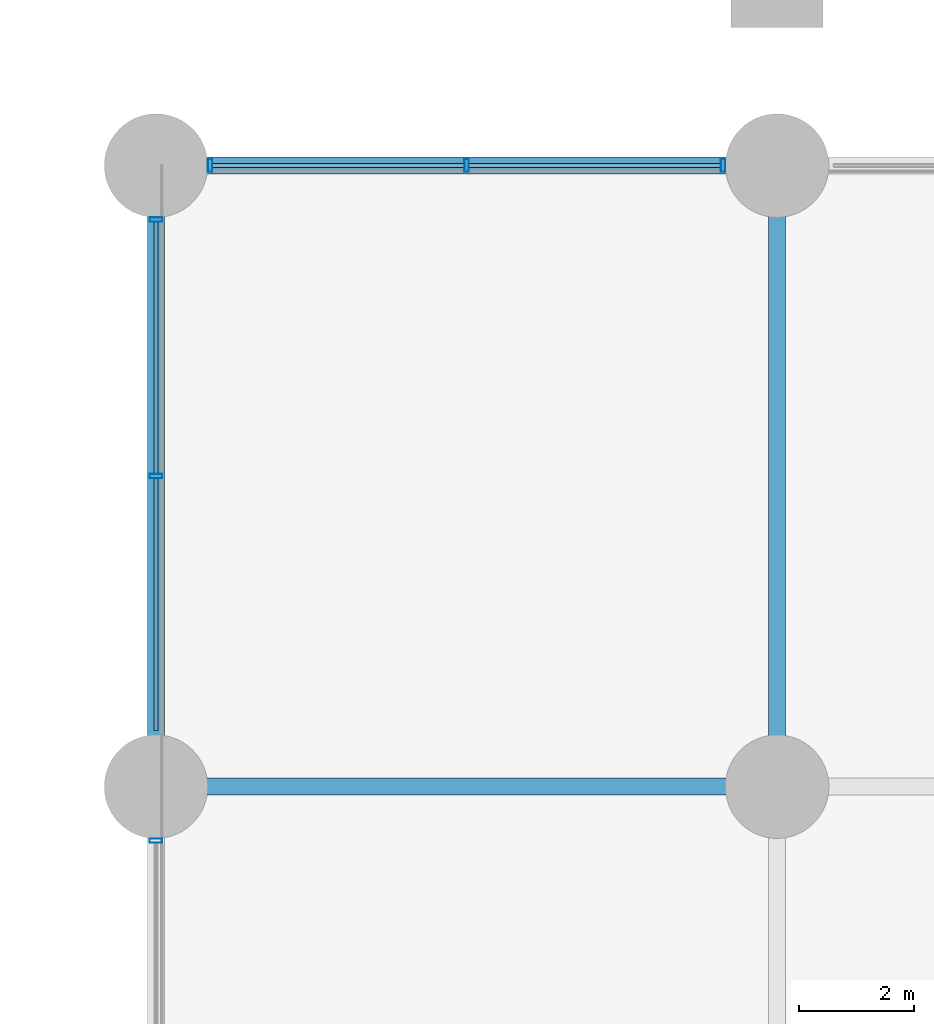
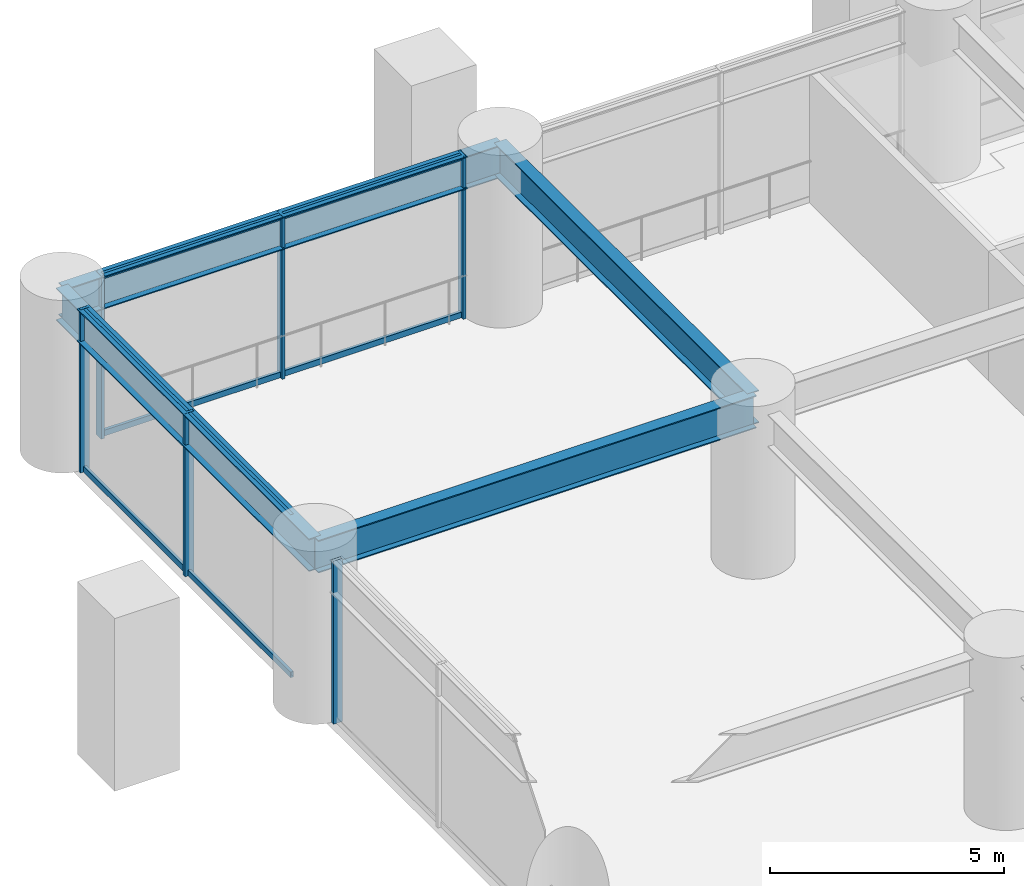
# One storey, part 12 of 31: 14 members, 4 beams, 2 elements without a shape of their own.
"""IFC4 building model written with IfcOpenShell, lengths in metres."""

from ifc_helpers import new_model, si_unit, direction, frame, origin, origin_2d, place, context, subcontext, project, spatial, hollow_rectangle, i_section, extrude, material, layer, layer_set, material_profile, profile_set, type_object, element, aggregate, save


model = new_model("IFC4")

# Units and contexts
model_context = context("Model", 3, precision=1e-05, world=origin(), true_north=direction((0.0, 1.0)))
body_context = subcontext(model_context, "Body", "Model", "MODEL_VIEW")
ifc_project = project(units=[si_unit("LENGTHUNIT", "METRE"), si_unit("AREAUNIT", "SQUARE_METRE"), si_unit("VOLUMEUNIT", "CUBIC_METRE"), si_unit("PLANEANGLEUNIT", "RADIAN"), si_unit("MASSUNIT", "GRAM", prefix="KILO")], contexts=[model_context])

# Site, building, storey
site_placement = place(None, origin())
site = spatial("IfcSite", under=ifc_project, at=site_placement, CompositionType="ELEMENT")
building_placement = place(site_placement, origin())
building = spatial("IfcBuilding", under=site, at=building_placement, Name="Surkhivell Harbour Commons", CompositionType="ELEMENT")
storey_placement = place(building_placement, frame((0.0, 0.0, 4.5)))
storey = spatial("IfcBuildingStorey", under=building, at=storey_placement, Name="L01", CompositionType="ELEMENT", Elevation=4.5)

# Beams
ifc_material_1 = material(Name="Steel S460", Category="steel")
ifc_material_profile_1 = material_profile(ifc_material_1, i_section(OverallWidth=0.2939453125, OverallDepth=0.85107421875, WebThickness=0.01611328125, FlangeThickness=0.02685546875, at=origin_2d()), Name="UB838x292x226")
ifc_profile_set_1 = profile_set([ifc_material_profile_1], Name="Steel S460")
beam_type = type_object("IfcBeamType", Name="BM-SPN-838", PredefinedType="SPANDREL", material=ifc_profile_set_1)
beam_1_placement = place(storey_placement, frame((-32.39990234375, 10.800048828125, 3.824462890625), z_axis=(0.0, 1.0, 0.0), x_axis=(-1.0, 0.0, 0.0)))
element("IfcBeam", 1, at=beam_1_placement, inside=storey, type_object=beam_type, Name="L01 Framing Beam (-32.4,10.8)", PredefinedType="SPANDREL", context=body_context, shape_type="SweptSolid", body=[
    extrude(i_section(OverallWidth=0.2939453125, OverallDepth=0.85107421875, WebThickness=0.01611328125, FlangeThickness=0.02685546875, at=origin_2d()), origin(), (0.0, 0.0, 1.0), 10.800048828125),
])
for number, where, z_axis, x_axis, name in (
    (2, (-32.39990234375, 10.800048828125, 3.824462890625), (1.0, 0.0, 0.0), (0.0, 1.0, 0.0), "L01 Framing Beam (-32.4,10.8)"),
    (3, (-32.39990234375, 21.60009765625, 3.824462890625), (1.0, 0.0, 0.0), (0.0, 1.0, 0.0), "L01 Framing Beam (-32.4,21.6)"),
):
    element("IfcBeam", number, at=place(storey_placement, frame(where, z_axis=z_axis, x_axis=x_axis)), inside=storey, type_object=beam_type, Name=name, PredefinedType="SPANDREL", context=body_context, shape_type="SweptSolid", body=[
        extrude(i_section(OverallWidth=0.2939453125, OverallDepth=0.85107421875, WebThickness=0.01611328125, FlangeThickness=0.02685546875, at=origin_2d()), origin(), (0.0, 0.0, 1.0), 10.7998046875),
    ])
beam_2_placement = place(storey_placement, frame((-21.60009765625, 10.800048828125, 3.824462890625), z_axis=(0.0, 1.0, 0.0), x_axis=(-1.0, 0.0, 0.0)))
element("IfcBeam", 4, at=beam_2_placement, inside=storey, type_object=beam_type, Name="L01 Framing Beam (-21.6,10.8)", PredefinedType="SPANDREL", context=body_context, shape_type="SweptSolid", body=[
    extrude(i_section(OverallWidth=0.2939453125, OverallDepth=0.85107421875, WebThickness=0.01611328125, FlangeThickness=0.02685546875, at=origin_2d()), origin(), (0.0, 0.0, 1.0), 10.800048828125),
])

# Curtain wall, members
ifc_material_2 = material(Name="Anodised pale-metal aluminium and insulated glazing", Category="aluminium")
ifc_layer = layer(ifc_material_2, 0.239990234375)
ifc_layer_set = layer_set([ifc_layer], Name="Anodised pale-metal aluminium and insulated glazing")
curtain_wall_type = type_object("IfcCurtainWallType", Name="CW-SYS-POD", PredefinedType="NOTDEFINED", material=ifc_layer_set)
curtain_wall_1_placement = place(storey_placement, origin())
curtain_wall_1 = element("IfcCurtainWall", 5, at=curtain_wall_1_placement, inside=storey, type_object=curtain_wall_type, Name="L01 Curtain Wall CW-L01-P03", PredefinedType="NOTDEFINED")
ifc_material_3 = material(Name="Anodised pale-metal aluminium alloy 6063-T6", Category="aluminium")
ifc_material_profile_2 = material_profile(ifc_material_3, hollow_rectangle(XDim=0.074951171875, YDim=0.219970703125, WallThickness=0.00390625, at=origin_2d()), Name="ALU-MULL-75x220")
ifc_profile_set_2 = profile_set([ifc_material_profile_2], Name="Anodised pale-metal aluminium alloy 6063-T6")
member_type_1 = type_object("IfcMemberType", Name="CWM-220", PredefinedType="MULLION", material=ifc_profile_set_2)
member_1_placement = place(storey_placement, frame((-22.53955078125, 21.60009765625, 0.0), z_axis=(0.0, 0.0, 1.0), x_axis=(-1.0, 0.0, 0.0)))
member_1 = element("IfcMember", 6, at=member_1_placement, type_object=member_type_1, Name="CW-POD mullion 11", PredefinedType="MULLION", context=body_context, shape_type="SweptSolid", body=[
    extrude(hollow_rectangle(XDim=0.074951171875, YDim=0.219970703125, WallThickness=0.00390625, at=origin_2d()), origin(), (0.0, 0.0, 1.0), 4.25),
])
member_2_placement = place(storey_placement, frame((-27.0, 21.60009765625, 0.0), z_axis=(0.0, 0.0, 1.0), x_axis=(-1.0, 0.0, 0.0)))
member_2 = element("IfcMember", 7, at=member_2_placement, type_object=member_type_1, Name="CW-POD mullion 12", PredefinedType="MULLION", context=body_context, shape_type="SweptSolid", body=[
    extrude(hollow_rectangle(XDim=0.074951171875, YDim=0.219970703125, WallThickness=0.00390625, at=origin_2d()), origin(), (0.0, 0.0, 1.0), 4.25),
])
member_3_placement = place(storey_placement, frame((-31.46044921875, 21.60009765625, 0.0), z_axis=(0.0, 0.0, 1.0), x_axis=(-1.0, 0.0, 0.0)))
member_3 = element("IfcMember", 8, at=member_3_placement, type_object=member_type_1, Name="CW-POD mullion 13", PredefinedType="MULLION", context=body_context, shape_type="SweptSolid", body=[
    extrude(hollow_rectangle(XDim=0.074951171875, YDim=0.219970703125, WallThickness=0.00390625, at=origin_2d()), origin(), (0.0, 0.0, 1.0), 4.25),
])

curtain_wall_2_placement = place(storey_placement, origin())
curtain_wall_2 = element("IfcCurtainWall", 9, at=curtain_wall_2_placement, inside=storey, type_object=curtain_wall_type, Name="L01 Curtain Wall CW-L01-P04", PredefinedType="NOTDEFINED")
member_4_placement = place(storey_placement, frame((-32.39990234375, 20.660400390625, 0.0), z_axis=(0.0, 0.0, 1.0), x_axis=(0.0, -1.0, 0.0)))
member_4 = element("IfcMember", 10, at=member_4_placement, type_object=member_type_1, Name="CW-POD mullion 1", PredefinedType="MULLION", context=body_context, shape_type="SweptSolid", body=[
    extrude(hollow_rectangle(XDim=0.074951171875, YDim=0.219970703125, WallThickness=0.00390625, at=origin_2d()), origin(), (0.0, 0.0, 1.0), 4.25),
])
member_5_placement = place(storey_placement, frame((-32.39990234375, 16.199951171875, 0.0), z_axis=(0.0, 0.0, 1.0), x_axis=(0.0, -1.0, 0.0)))
member_5 = element("IfcMember", 11, at=member_5_placement, type_object=member_type_1, Name="CW-POD mullion 2", PredefinedType="MULLION", context=body_context, shape_type="SweptSolid", body=[
    extrude(hollow_rectangle(XDim=0.074951171875, YDim=0.219970703125, WallThickness=0.00390625, at=origin_2d()), origin(), (0.0, 0.0, 1.0), 4.25),
])
member_6_placement = place(storey_placement, frame((-32.39990234375, 9.860595703125, 0.0), z_axis=(0.0, 0.0, 1.0), x_axis=(0.0, -1.0, 0.0)))
member_6 = element("IfcMember", 12, at=member_6_placement, type_object=member_type_1, Name="CW-POD mullion 3", PredefinedType="MULLION", context=body_context, shape_type="SweptSolid", body=[
    extrude(hollow_rectangle(XDim=0.074951171875, YDim=0.219970703125, WallThickness=0.00390625, at=origin_2d()), origin(), (0.0, 0.0, 1.0), 4.25),
])

# Member
ifc_material_profile_3 = material_profile(ifc_material_3, hollow_rectangle(XDim=0.074951171875, YDim=0.14990234375, WallThickness=0.00341796875, at=origin_2d()), Name="ALU-TRAN-75x150")
ifc_profile_set_3 = profile_set([ifc_material_profile_3], Name="Anodised pale-metal aluminium alloy 6063-T6")
member_type_2 = type_object("IfcMemberType", Name="CWT-150", PredefinedType="USERDEFINED", material=ifc_profile_set_3)
member_7_placement = place(storey_placement, frame((-22.576904296875, 21.60009765625, 0.074951171875), z_axis=(-1.0, 0.0, 0.0), x_axis=(0.0, -1.0, 0.0)))
member_7 = element("IfcMember", 13, at=member_7_placement, type_object=member_type_2, Name="CW-POD transom 11.1", ObjectType="TRANSOM", PredefinedType="USERDEFINED", context=body_context, shape_type="SweptSolid", body=[
    extrude(hollow_rectangle(XDim=0.074951171875, YDim=0.14990234375, WallThickness=0.00341796875, at=origin_2d()), origin(), (0.0, 0.0, 1.0), 4.385498046875),
])

member_8_placement = place(storey_placement, frame((-22.576904296875, 21.60009765625, 4.175048828125), z_axis=(-1.0, 0.0, 0.0), x_axis=(0.0, -1.0, 0.0)))
member_8 = element("IfcMember", 14, at=member_8_placement, type_object=member_type_2, Name="CW-POD transom 11.2", ObjectType="TRANSOM", PredefinedType="USERDEFINED", context=body_context, shape_type="SweptSolid", body=[
    extrude(hollow_rectangle(XDim=0.074951171875, YDim=0.14990234375, WallThickness=0.00341796875, at=origin_2d()), origin(), (0.0, 0.0, 1.0), 4.385498046875),
])

member_9_placement = place(storey_placement, frame((-27.03759765625, 21.60009765625, 0.074951171875), z_axis=(-1.0, 0.0, 0.0), x_axis=(0.0, -1.0, 0.0)))
member_9 = element("IfcMember", 15, at=member_9_placement, type_object=member_type_2, Name="CW-POD transom 12.1", ObjectType="TRANSOM", PredefinedType="USERDEFINED", context=body_context, shape_type="SweptSolid", body=[
    extrude(hollow_rectangle(XDim=0.074951171875, YDim=0.14990234375, WallThickness=0.00341796875, at=origin_2d()), origin(), (0.0, 0.0, 1.0), 4.385498046875),
])

member_10_placement = place(storey_placement, frame((-27.03759765625, 21.60009765625, 4.175048828125), z_axis=(-1.0, 0.0, 0.0), x_axis=(0.0, -1.0, 0.0)))
member_10 = element("IfcMember", 16, at=member_10_placement, type_object=member_type_2, Name="CW-POD transom 12.2", ObjectType="TRANSOM", PredefinedType="USERDEFINED", context=body_context, shape_type="SweptSolid", body=[
    extrude(hollow_rectangle(XDim=0.074951171875, YDim=0.14990234375, WallThickness=0.00341796875, at=origin_2d()), origin(), (0.0, 0.0, 1.0), 4.385498046875),
])

aggregate(curtain_wall_1, [member_1, member_2, member_3, member_7, member_8, member_9, member_10])

member_11_placement = place(storey_placement, frame((-32.39990234375, 20.623046875, 0.074951171875), z_axis=(0.0, -1.0, 0.0), x_axis=(1.0, 0.0, 0.0)))
member_11 = element("IfcMember", 17, at=member_11_placement, type_object=member_type_2, Name="CW-POD transom 1.1", ObjectType="TRANSOM", PredefinedType="USERDEFINED", context=body_context, shape_type="SweptSolid", body=[
    extrude(hollow_rectangle(XDim=0.074951171875, YDim=0.14990234375, WallThickness=0.00341796875, at=origin_2d()), origin(), (0.0, 0.0, 1.0), 4.385498046875),
])

member_12_placement = place(storey_placement, frame((-32.39990234375, 20.623046875, 4.175048828125), z_axis=(0.0, -1.0, 0.0), x_axis=(1.0, 0.0, 0.0)))
member_12 = element("IfcMember", 18, at=member_12_placement, type_object=member_type_2, Name="CW-POD transom 1.2", ObjectType="TRANSOM", PredefinedType="USERDEFINED", context=body_context, shape_type="SweptSolid", body=[
    extrude(hollow_rectangle(XDim=0.074951171875, YDim=0.14990234375, WallThickness=0.00341796875, at=origin_2d()), origin(), (0.0, 0.0, 1.0), 4.385498046875),
])

member_13_placement = place(storey_placement, frame((-32.39990234375, 16.16259765625, 0.074951171875), z_axis=(0.0, -1.0, 0.0), x_axis=(1.0, 0.0, 0.0)))
member_13 = element("IfcMember", 19, at=member_13_placement, type_object=member_type_2, Name="CW-POD transom 2.1", ObjectType="TRANSOM", PredefinedType="USERDEFINED", context=body_context, shape_type="SweptSolid", body=[
    extrude(hollow_rectangle(XDim=0.074951171875, YDim=0.14990234375, WallThickness=0.00341796875, at=origin_2d()), origin(), (0.0, 0.0, 1.0), 4.385498046875),
])

member_14_placement = place(storey_placement, frame((-32.39990234375, 16.16259765625, 4.175048828125), z_axis=(0.0, -1.0, 0.0), x_axis=(1.0, 0.0, 0.0)))
member_14 = element("IfcMember", 20, at=member_14_placement, type_object=member_type_2, Name="CW-POD transom 2.2", ObjectType="TRANSOM", PredefinedType="USERDEFINED", context=body_context, shape_type="SweptSolid", body=[
    extrude(hollow_rectangle(XDim=0.074951171875, YDim=0.14990234375, WallThickness=0.00341796875, at=origin_2d()), origin(), (0.0, 0.0, 1.0), 4.385498046875),
])

aggregate(curtain_wall_2, [member_4, member_5, member_11, member_12, member_13, member_14, member_6])

save(model, "model.ifc")
